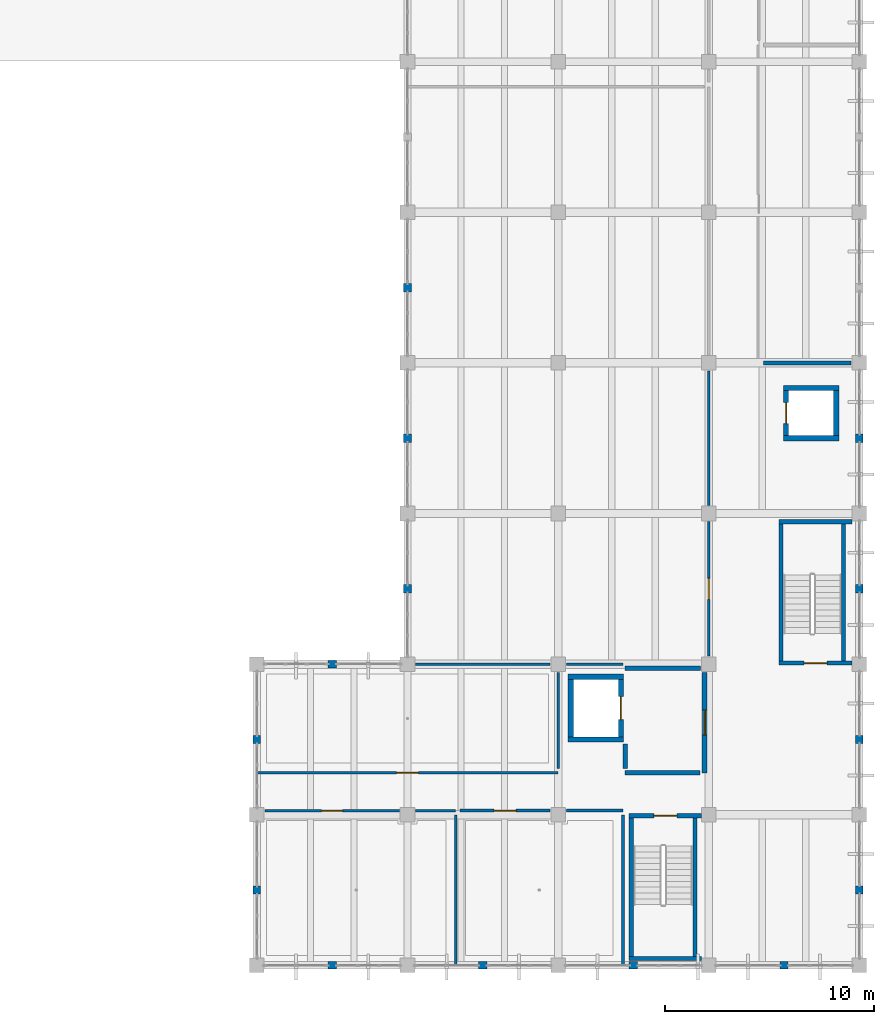
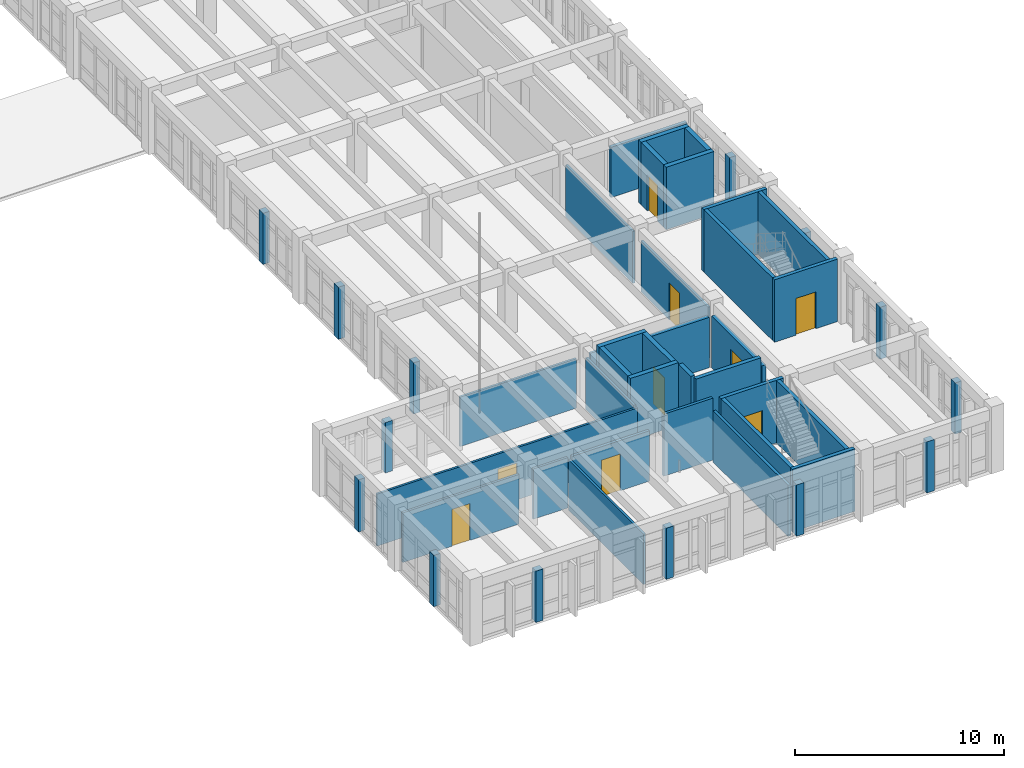
# One storey, part 42 of 54: 47 walls, 9 doors, 9 openings.
"""IFC4 building model written with IfcOpenShell, lengths in metres."""

from ifc_helpers import new_model, si_unit, direction, frame, frame_2d, origin, place, context, subcontext, project, spatial, rectangle, extrude, material, layer, layer_set, type_object, element, fill, save


model = new_model("IFC4")

# Units and contexts
model_context = context("Model", 3, precision=1e-05, world=origin(), true_north=direction((0.0, 1.0)))
body_context = subcontext(model_context, "Body", "Model", "MODEL_VIEW")
ifc_project = project(units=[si_unit("LENGTHUNIT", "METRE"), si_unit("AREAUNIT", "SQUARE_METRE"), si_unit("VOLUMEUNIT", "CUBIC_METRE"), si_unit("PLANEANGLEUNIT", "RADIAN"), si_unit("MASSUNIT", "GRAM", prefix="KILO")], contexts=[model_context])

# Site, building, storey
site_placement = place(None, origin())
site = spatial("IfcSite", under=ifc_project, at=site_placement, CompositionType="ELEMENT")
building_placement = place(site_placement, origin())
building = spatial("IfcBuilding", under=site, at=building_placement, Name="Koriwan Promenade Central Fire Station", CompositionType="ELEMENT")
storey_placement = place(building_placement, frame((0.0, 0.0, 9.60009765625)))
storey = spatial("IfcBuildingStorey", under=building, at=storey_placement, Name="L02", CompositionType="ELEMENT", Elevation=9.60009765625)

# Walls
ifc_material_1 = material(Name="Natural sillar sandstone ashlar", Category="masonry")
ifc_layer_1 = layer(ifc_material_1, 0.360107421875, Name="Natural sillar sandstone ashlar")
ifc_layer_set_1 = layer_set([ifc_layer_1], Name="Natural sillar sandstone ashlar")
wall_type_1 = type_object("IfcWallType", Name="ExtWall_SillarBase_360", PredefinedType="SOLIDWALL", material=ifc_layer_set_1)
for number, where, z_axis, x_axis, name in (
    (1, (169.39990234375, 0.0, 0.0), (0.0, 0.0, 1.0), (-1.0, 0.0, 0.0), "V5 L02 sillar facade mullion pier 263"),
    (2, (162.199951171875, 0.0, 0.0), (0.0, 0.0, 1.0), (-1.0, 0.0, 0.0), "V5 L02 sillar facade mullion pier 264"),
    (3, (155.0, 0.0, 0.0), (0.0, 0.0, 1.0), (-1.0, 0.0, 0.0), "V5 L02 sillar facade mullion pier 265"),
):
    element("IfcWall", number, at=place(storey_placement, frame(where, z_axis=z_axis, x_axis=x_axis)), inside=storey, type_object=wall_type_1, Name=name, PredefinedType="SOLIDWALL", context=body_context, shape_type="SweptSolid", body=[
        extrude(rectangle(XDim=0.39990234375, YDim=0.360107421875, at=frame_2d((0.199951171875, 0.0))), origin(), (0.0, 0.0, 1.0), 2.989990234375),
    ])
for number, where, z_axis, x_axis, name in (
    (4, (147.800048828125, 0.0, 0.0), (0.0, 0.0, 1.0), (-1.0, 0.0, 0.0), "V5 L02 sillar facade mullion pier 266"),
    (5, (144.0, 3.39990234375, 0.0), (0.0, 0.0, 1.0), (0.0, 1.0, 0.0), "V5 L02 sillar facade mullion pier 267"),
):
    element("IfcWall", number, at=place(storey_placement, frame(where, z_axis=z_axis, x_axis=x_axis)), inside=storey, type_object=wall_type_1, Name=name, PredefinedType="SOLIDWALL", context=body_context, shape_type="SweptSolid", body=[
        extrude(rectangle(XDim=0.400146484375, YDim=0.360107421875, at=frame_2d((0.2001953125, 0.0))), origin(), (0.0, 0.0, 1.0), 3.0),
    ])
wall_1_placement = place(storey_placement, frame((144.0, 10.60009765625, 0.0), z_axis=(0.0, 0.0, 1.0), x_axis=(0.0, 1.0, 0.0)))
element("IfcWall", 6, at=wall_1_placement, inside=storey, type_object=wall_type_1, Name="V5 L02 sillar facade mullion pier 268", PredefinedType="SOLIDWALL", context=body_context, shape_type="SweptSolid", body=[
    extrude(rectangle(XDim=0.39990234375, YDim=0.360107421875, at=frame_2d((0.199951171875, 0.0))), origin(), (0.0, 0.0, 1.0), 3.0498046875),
])
wall_2_placement = place(storey_placement, frame((147.39990234375, 14.39990234375, 0.0), z_axis=(0.0, 0.0, 1.0), x_axis=(1.0, 0.0, 0.0)))
element("IfcWall", 7, at=wall_2_placement, inside=storey, type_object=wall_type_1, Name="V5 L02 sillar facade mullion pier 269", PredefinedType="SOLIDWALL", context=body_context, shape_type="SweptSolid", body=[
    extrude(rectangle(XDim=0.400146484375, YDim=0.360107421875, at=frame_2d((0.2001953125, 0.0))), origin(), (0.0, 0.0, 1.0), 2.949951171875),
])
wall_3_placement = place(storey_placement, frame((151.199951171875, 17.800048828125, 0.0), z_axis=(0.0, 0.0, 1.0), x_axis=(0.0, 1.0, 0.0)))
element("IfcWall", 8, at=wall_3_placement, inside=storey, type_object=wall_type_1, Name="V5 L02 sillar facade mullion pier 270", PredefinedType="SOLIDWALL", context=body_context, shape_type="SweptSolid", body=[
    extrude(rectangle(XDim=0.39990234375, YDim=0.360107421875, at=frame_2d((0.199951171875, 0.0))), origin(), (0.0, 0.0, 1.0), 2.989990234375),
])
wall_4_placement = place(storey_placement, frame((151.199951171875, 25.0, 0.0), z_axis=(0.0, 0.0, 1.0), x_axis=(0.0, 1.0, 0.0)))
element("IfcWall", 9, at=wall_4_placement, inside=storey, type_object=wall_type_1, Name="V5 L02 sillar facade mullion pier 271", PredefinedType="SOLIDWALL", context=body_context, shape_type="SweptSolid", body=[
    extrude(rectangle(XDim=0.39990234375, YDim=0.360107421875, at=frame_2d((0.199951171875, 0.0))), origin(), (0.0, 0.0, 1.0), 3.039794921875),
])
wall_5_placement = place(storey_placement, frame((151.199951171875, 32.199951171875, 0.0), z_axis=(0.0, 0.0, 1.0), x_axis=(0.0, 1.0, 0.0)))
element("IfcWall", 10, at=wall_5_placement, inside=storey, type_object=wall_type_1, Name="V5 L02 sillar facade mullion pier 272", PredefinedType="SOLIDWALL", context=body_context, shape_type="SweptSolid", body=[
    extrude(rectangle(XDim=0.400146484375, YDim=0.360107421875, at=frame_2d((0.2001953125, 0.0))), origin(), (0.0, 0.0, 1.0), 2.989990234375),
])
wall_6_placement = place(storey_placement, frame((172.800048828125, 25.39990234375, 0.0), z_axis=(0.0, 0.0, 1.0), x_axis=(0.0, -1.0, 0.0)))
element("IfcWall", 11, at=wall_6_placement, inside=storey, type_object=wall_type_1, Name="V5 L02 sillar facade mullion pier 283", PredefinedType="SOLIDWALL", context=body_context, shape_type="SweptSolid", body=[
    extrude(rectangle(XDim=0.39990234375, YDim=0.360107421875, at=frame_2d((0.199951171875, 0.0))), origin(), (0.0, 0.0, 1.0), 3.039794921875),
])
wall_7_placement = place(storey_placement, frame((172.800048828125, 18.199951171875, 0.0), z_axis=(0.0, 0.0, 1.0), x_axis=(0.0, -1.0, 0.0)))
element("IfcWall", 12, at=wall_7_placement, inside=storey, type_object=wall_type_1, Name="V5 L02 sillar facade mullion pier 284", PredefinedType="SOLIDWALL", context=body_context, shape_type="SweptSolid", body=[
    extrude(rectangle(XDim=0.39990234375, YDim=0.360107421875, at=frame_2d((0.199951171875, 0.0))), origin(), (0.0, 0.0, 1.0), 2.989990234375),
])
wall_8_placement = place(storey_placement, frame((172.800048828125, 11.0, 0.0), z_axis=(0.0, 0.0, 1.0), x_axis=(0.0, -1.0, 0.0)))
element("IfcWall", 13, at=wall_8_placement, inside=storey, type_object=wall_type_1, Name="V5 L02 sillar facade mullion pier 285", PredefinedType="SOLIDWALL", context=body_context, shape_type="SweptSolid", body=[
    extrude(rectangle(XDim=0.39990234375, YDim=0.360107421875, at=frame_2d((0.199951171875, 0.0))), origin(), (0.0, 0.0, 1.0), 3.039794921875),
])
wall_9_placement = place(storey_placement, frame((172.800048828125, 3.800048828125, 0.0), z_axis=(0.0, 0.0, 1.0), x_axis=(0.0, -1.0, 0.0)))
element("IfcWall", 14, at=wall_9_placement, inside=storey, type_object=wall_type_1, Name="V5 L02 sillar facade mullion pier 286", PredefinedType="SOLIDWALL", context=body_context, shape_type="SweptSolid", body=[
    extrude(rectangle(XDim=0.400146484375, YDim=0.360107421875, at=frame_2d((0.2001953125, 0.0))), origin(), (0.0, 0.0, 1.0), 2.989990234375),
])

# Wall, opening, door
ifc_material_2 = material(Name="Gypsum board acoustic stud partition", Category="gypsum")
ifc_layer_2 = layer(ifc_material_2, 0.1201171875, Name="Gypsum board acoustic stud partition")
ifc_layer_set_2 = layer_set([ifc_layer_2], Name="Gypsum board acoustic stud partition")
wall_type_2 = type_object("IfcWallType", Name="IntWall_Drywall_120", PredefinedType="PARTITIONING", material=ifc_layer_set_2)
wall_10_placement = place(storey_placement, frame((144.389892578125, 7.39990234375, 0.0), z_axis=(0.0, 0.0, 1.0), x_axis=(1.0, 0.0, 0.0)))
wall_10 = element("IfcWall", 15, at=wall_10_placement, inside=storey, type_object=wall_type_2, Name="Operations Directorate Office partition N", PredefinedType="PARTITIONING", context=body_context, shape_type="SweptSolid", body=[
    extrude(rectangle(XDim=6.420166015625, YDim=0.1201171875, at=frame_2d((3.2099609375, 0.0))), origin(), (0.0, 0.0, 1.0), 2.89794921875),
])
opening_1_placement = place(wall_10_placement, frame((2.7099609375, 0.0, 0.0)))
opening_1 = element("IfcOpeningElement", 16, at=opening_1_placement, cuts=wall_10, Name="Opening D-166", PredefinedType="OPENING", context=body_context, shape_type="SweptSolid", body=[
    extrude(rectangle(XDim=1.0, YDim=2.14990234375, at=frame_2d((0.5, 1.074951171875))), frame((0.0, 0.072021484375, 0.0), z_axis=(0.0, -1.0, 0.0), x_axis=(1.0, 0.0, 0.0)), (0.0, 0.0, 1.0), 0.14404296875),
])
ifc_material_3 = material(Name="Hardwood veneer solid-core timber", Category="wood")
door_type_1 = type_object("IfcDoorType", Name="RoomDoor_Office_1000x2150", OperationType="NOTDEFINED", PredefinedType="DOOR", material=ifc_material_3)
door_1_placement = place(opening_1_placement, origin())
door_1 = element("IfcDoor", 17, at=door_1_placement, inside=storey, type_object=door_type_1, Name="Operations Directorate Office Door D-166", OperationType="SINGLE_SWING_RIGHT", OverallHeight=2.14990234375, OverallWidth=1.0, PredefinedType="DOOR", context=body_context, shape_type="SweptSolid", body=[
    extrude(rectangle(XDim=1.0, YDim=2.14990234375, at=frame_2d((0.5, 1.074951171875))), frame((0.0, 0.02490234375, 0.0), z_axis=(0.0, -1.0, 0.0), x_axis=(1.0, 0.0, 0.0)), (0.0, 0.0, 1.0), 0.050048828125),
])
fill(opening_1, door_1)

# Walls
wall_11_placement = place(storey_placement, frame((151.590087890625, 7.39990234375, 0.0), z_axis=(0.0, 0.0, 1.0), x_axis=(1.0, 0.0, 0.0)))
element("IfcWall", 18, at=wall_11_placement, inside=storey, type_object=wall_type_2, Name="Operations Directorate Office partition N", PredefinedType="PARTITIONING", context=body_context, shape_type="SweptSolid", body=[
    extrude(rectangle(XDim=1.909912109375, YDim=0.1201171875, at=frame_2d((0.955078125, 0.0))), origin(), (0.0, 0.0, 1.0), 2.93798828125),
])
wall_12_placement = place(storey_placement, frame((153.5, 0.0, 0.0), z_axis=(0.0, 0.0, 1.0), x_axis=(0.0, 1.0, 0.0)))
element("IfcWall", 19, at=wall_12_placement, inside=storey, type_object=wall_type_2, Name="Operations Directorate Office partition E", PredefinedType="PARTITIONING", context=body_context, shape_type="SweptSolid", body=[
    extrude(rectangle(XDim=7.179931640625, YDim=0.1201171875, at=frame_2d((3.58984375, 0.0))), origin(), (0.0, 0.0, 1.0), 2.93798828125),
])

# Wall, opening, door
wall_13_placement = place(storey_placement, frame((144.0, 9.199951171875, 0.0), z_axis=(0.0, 0.0, 1.0), x_axis=(1.0, 0.0, 0.0)))
wall_13 = element("IfcWall", 20, at=wall_13_placement, inside=storey, type_object=wall_type_2, Name="Disaster Simulation Studio partition S", PredefinedType="PARTITIONING", context=body_context, shape_type="SweptSolid", body=[
    extrude(rectangle(XDim=14.39990234375, YDim=0.1201171875, at=frame_2d((7.199951171875, 0.0))), origin(), (0.0, 0.0, 1.0), 3.037841796875),
])
opening_2_placement = place(wall_13_placement, frame((6.675048828125, 0.0, 0.0)))
opening_2 = element("IfcOpeningElement", 21, at=opening_2_placement, cuts=wall_13, Name="Opening D-168", PredefinedType="OPENING", context=body_context, shape_type="SweptSolid", body=[
    extrude(rectangle(XDim=1.050048828125, YDim=2.14990234375, at=frame_2d((0.52490234375, 1.074951171875))), frame((0.0, 0.072021484375, 0.0), z_axis=(0.0, -1.0, 0.0), x_axis=(1.0, 0.0, 0.0)), (0.0, 0.0, 1.0), 0.14404296875),
])
door_type_2 = type_object("IfcDoorType", Name="RoomDoor_Class_1050x2150", OperationType="NOTDEFINED", PredefinedType="DOOR", material=ifc_material_3)
door_2_placement = place(opening_2_placement, origin())
door_2 = element("IfcDoor", 22, at=door_2_placement, inside=storey, type_object=door_type_2, Name="Disaster Simulation Studio Door D-168", OperationType="SINGLE_SWING_RIGHT", OverallHeight=2.14990234375, OverallWidth=1.050048828125, PredefinedType="DOOR", context=body_context, shape_type="SweptSolid", body=[
    extrude(rectangle(XDim=1.050048828125, YDim=2.14990234375, at=frame_2d((0.52490234375, 1.074951171875))), frame((0.0, 0.02490234375, 0.0), z_axis=(0.0, -1.0, 0.0), x_axis=(1.0, 0.0, 0.0)), (0.0, 0.0, 1.0), 0.050048828125),
])
fill(opening_2, door_2)

# Wall
wall_14_placement = place(storey_placement, frame((158.39990234375, 9.419921875, 0.0), z_axis=(0.0, 0.0, 1.0), x_axis=(0.0, 1.0, 0.0)))
element("IfcWall", 23, at=wall_14_placement, inside=storey, type_object=wall_type_2, Name="Disaster Simulation Studio partition E", PredefinedType="PARTITIONING", context=body_context, shape_type="SweptSolid", body=[
    extrude(rectangle(XDim=4.590087890625, YDim=0.1201171875, at=frame_2d((2.294921875, 0.0))), origin(), (0.0, 0.0, 1.0), 3.037841796875),
])

# Wall, opening, door
wall_15_placement = place(storey_placement, frame((165.60009765625, 14.7900390625, 0.0), z_axis=(0.0, 0.0, 1.0), x_axis=(0.0, 1.0, 0.0)))
wall_15 = element("IfcWall", 24, at=wall_15_placement, inside=storey, type_object=wall_type_2, Name="Community Resilience Planning Office partition E", PredefinedType="PARTITIONING", context=body_context, shape_type="SweptSolid", body=[
    extrude(rectangle(XDim=6.419921875, YDim=0.1201171875, at=frame_2d((3.2099609375, 0.0))), origin(), (0.0, 0.0, 1.0), 2.98779296875),
])
opening_3_placement = place(wall_15_placement, frame((2.7099609375, 0.0, 0.0)))
opening_3 = element("IfcOpeningElement", 25, at=opening_3_placement, cuts=wall_15, Name="Opening D-169", PredefinedType="OPENING", context=body_context, shape_type="SweptSolid", body=[
    extrude(rectangle(XDim=1.0, YDim=2.14990234375, at=frame_2d((0.5, 1.074951171875))), frame((0.0, 0.072021484375, 0.0), z_axis=(0.0, -1.0, 0.0), x_axis=(1.0, 0.0, 0.0)), (0.0, 0.0, 1.0), 0.14404296875),
])
door_3_placement = place(opening_3_placement, origin())
door_3 = element("IfcDoor", 26, at=door_3_placement, inside=storey, type_object=door_type_1, Name="Community Resilience Planning Office Door D-169", OperationType="SINGLE_SWING_LEFT", OverallHeight=2.14990234375, OverallWidth=1.0, PredefinedType="DOOR", context=body_context, shape_type="SweptSolid", body=[
    extrude(rectangle(XDim=1.0, YDim=2.14990234375, at=frame_2d((0.5, 1.074951171875))), frame((0.0, 0.02490234375, 0.0), z_axis=(0.0, -1.0, 0.0), x_axis=(1.0, 0.0, 0.0)), (0.0, 0.0, 1.0), 0.050048828125),
])
fill(opening_3, door_3)

# Walls
wall_16_placement = place(storey_placement, frame((165.60009765625, 21.989990234375, 0.0), z_axis=(0.0, 0.0, 1.0), x_axis=(0.0, 1.0, 0.0)))
element("IfcWall", 27, at=wall_16_placement, inside=storey, type_object=wall_type_2, Name="Community Resilience Planning Office partition E", PredefinedType="PARTITIONING", context=body_context, shape_type="SweptSolid", body=[
    extrude(rectangle(XDim=6.419921875, YDim=0.1201171875, at=frame_2d((3.2099609375, 0.0))), origin(), (0.0, 0.0, 1.0), 3.037841796875),
])
wall_17_placement = place(storey_placement, frame((151.590087890625, 14.39990234375, 0.0), z_axis=(0.0, 0.0, 1.0), x_axis=(1.0, 0.0, 0.0)))
element("IfcWall", 28, at=wall_17_placement, inside=storey, type_object=wall_type_2, Name="Community Resilience Planning Office partition S", PredefinedType="PARTITIONING", context=body_context, shape_type="SweptSolid", body=[
    extrude(rectangle(XDim=6.419921875, YDim=0.1201171875, at=frame_2d((3.2099609375, 0.0))), origin(), (0.0, 0.0, 1.0), 2.887939453125),
])
wall_18_placement = place(storey_placement, frame((158.7900390625, 14.39990234375, 0.0), z_axis=(0.0, 0.0, 1.0), x_axis=(1.0, 0.0, 0.0)))
element("IfcWall", 29, at=wall_18_placement, inside=storey, type_object=wall_type_2, Name="Community Resilience Planning Office partition S", PredefinedType="PARTITIONING", context=body_context, shape_type="SweptSolid", body=[
    extrude(rectangle(XDim=2.71875, YDim=0.1201171875, at=frame_2d((1.359375, 0.0))), origin(), (0.0, 0.0, 1.0), 2.93798828125),
])

# Wall, opening, door
ifc_material_4 = material(Name="Clay brick plastered masonry wall", Category="masonry")
ifc_layer_3 = layer(ifc_material_4, 0.14990234375, Name="Clay brick plastered masonry wall")
ifc_layer_set_3 = layer_set([ifc_layer_3], Name="Clay brick plastered masonry wall")
wall_type_3 = type_object("IfcWallType", Name="IntWall_Masonry_150", PredefinedType="STANDARD", material=ifc_layer_set_3)
wall_19_placement = place(storey_placement, frame((153.719970703125, 7.39990234375, 0.0), z_axis=(0.0, 0.0, 1.0), x_axis=(1.0, 0.0, 0.0)))
wall_19 = element("IfcWall", 30, at=wall_19_placement, inside=storey, type_object=wall_type_3, Name="Multi-Agency Coordination Briefing Room partition N", PredefinedType="STANDARD", context=body_context, shape_type="SweptSolid", body=[
    extrude(rectangle(XDim=4.2900390625, YDim=0.14990234375, at=frame_2d((2.14501953125, 0.0))), origin(), (0.0, 0.0, 1.0), 2.93798828125),
])
opening_4_placement = place(wall_19_placement, frame((1.6201171875, 0.0, 0.0)))
opening_4 = element("IfcOpeningElement", 31, at=opening_4_placement, cuts=wall_19, Name="Opening D-167", PredefinedType="OPENING", context=body_context, shape_type="SweptSolid", body=[
    extrude(rectangle(XDim=1.050048828125, YDim=2.14990234375, at=frame_2d((0.52490234375, 1.074951171875))), frame((0.0, 0.0869140625, 0.0), z_axis=(0.0, -1.0, 0.0), x_axis=(1.0, 0.0, 0.0)), (0.0, 0.0, 1.0), 0.173828125),
])
door_4_placement = place(opening_4_placement, origin())
door_4 = element("IfcDoor", 32, at=door_4_placement, inside=storey, type_object=door_type_2, Name="Multi-Agency Coordination Briefing Room Door D-167", OperationType="SINGLE_SWING_LEFT", OverallHeight=2.14990234375, OverallWidth=1.050048828125, PredefinedType="DOOR", context=body_context, shape_type="SweptSolid", body=[
    extrude(rectangle(XDim=1.050048828125, YDim=2.14990234375, at=frame_2d((0.52490234375, 1.074951171875))), frame((0.0, 0.02490234375, 0.0), z_axis=(0.0, -1.0, 0.0), x_axis=(1.0, 0.0, 0.0)), (0.0, 0.0, 1.0), 0.050048828125),
])
fill(opening_4, door_4)

# Walls
wall_20_placement = place(storey_placement, frame((158.7900390625, 7.39990234375, 0.0), z_axis=(0.0, 0.0, 1.0), x_axis=(1.0, 0.0, 0.0)))
element("IfcWall", 33, at=wall_20_placement, inside=storey, type_object=wall_type_3, Name="Multi-Agency Coordination Briefing Room partition N", PredefinedType="STANDARD", context=body_context, shape_type="SweptSolid", body=[
    extrude(rectangle(XDim=2.7099609375, YDim=0.14990234375, at=frame_2d((1.35498046875, 0.0))), origin(), (0.0, 0.0, 1.0), 3.619873046875),
])
wall_21_placement = place(storey_placement, frame((161.5, 0.0, 0.0), z_axis=(0.0, 0.0, 1.0), x_axis=(0.0, 1.0, 0.0)))
element("IfcWall", 34, at=wall_21_placement, inside=storey, type_object=wall_type_3, Name="Multi-Agency Coordination Briefing Room partition E", PredefinedType="STANDARD", context=body_context, shape_type="SweptSolid", body=[
    extrude(rectangle(XDim=7.179931640625, YDim=0.14990234375, at=frame_2d((3.58984375, 0.0))), origin(), (0.0, 0.0, 1.0), 2.98779296875),
])

# Wall, opening, door
ifc_material_5 = material(Name="Concrete C35/45 compartment wall", Category="concrete")
ifc_layer_4 = layer(ifc_material_5, 0.219970703125, Name="Concrete C35/45 compartment wall")
ifc_layer_set_4 = layer_set([ifc_layer_4], Name="Concrete C35/45 compartment wall")
wall_type_4 = type_object("IfcWallType", Name="IntWall_Plant_220", PredefinedType="STANDARD", material=ifc_layer_set_4)
wall_22_placement = place(storey_placement, frame((165.39990234375, 9.199951171875, 0.0), z_axis=(0.0, 0.0, 1.0), x_axis=(0.0, 1.0, 0.0)))
wall_22 = element("IfcWall", 35, at=wall_22_placement, inside=storey, type_object=wall_type_4, Name="Headquarters Firefighting Lift Lobby L02 partition E", PredefinedType="STANDARD", context=body_context, shape_type="SweptSolid", body=[
    extrude(rectangle(XDim=4.81005859375, YDim=0.219970703125, at=frame_2d((2.405029296875, 0.0))), origin(), (0.0, 0.0, 1.0), 3.037841796875),
])
opening_5_placement = place(wall_22_placement, frame((1.804931640625, 0.0, 0.0)))
opening_5 = element("IfcOpeningElement", 36, at=opening_5_placement, cuts=wall_22, Name="Opening D-165", PredefinedType="OPENING", context=body_context, shape_type="SweptSolid", body=[
    extrude(rectangle(XDim=1.199951171875, YDim=2.199951171875, at=frame_2d((0.60009765625, 1.10009765625))), frame((0.0, 0.1220703125, 0.0), z_axis=(0.0, -1.0, 0.0), x_axis=(1.0, 0.0, 0.0)), (0.0, 0.0, 1.0), 0.243896484375),
])
ifc_material_6 = material(Name="Painted galvanized fire-door steel", Category="steel")
door_type_3 = type_object("IfcDoorType", Name="FireDoor_Lobby_1200x2200", OperationType="NOTDEFINED", PredefinedType="DOOR", material=ifc_material_6)
door_5_placement = place(opening_5_placement, origin())
door_5 = element("IfcDoor", 37, at=door_5_placement, inside=storey, type_object=door_type_3, Name="Headquarters Firefighting Lift Lobby L02 Door D-165", OperationType="SINGLE_SWING_LEFT", OverallHeight=2.199951171875, OverallWidth=1.199951171875, PredefinedType="DOOR", context=body_context, shape_type="SweptSolid", body=[
    extrude(rectangle(XDim=1.199951171875, YDim=2.199951171875, at=frame_2d((0.60009765625, 1.10009765625))), frame((0.0, 0.02490234375, 0.0), z_axis=(0.0, -1.0, 0.0), x_axis=(1.0, 0.0, 0.0)), (0.0, 0.0, 1.0), 0.050048828125),
])
fill(opening_5, door_5)

# Walls
wall_23_placement = place(storey_placement, frame((161.60009765625, 9.199951171875, 0.0), z_axis=(0.0, 0.0, 1.0), x_axis=(1.0, 0.0, 0.0)))
element("IfcWall", 38, at=wall_23_placement, inside=storey, type_object=wall_type_4, Name="Headquarters Firefighting Lift Lobby L02 partition S", PredefinedType="STANDARD", context=body_context, shape_type="SweptSolid", body=[
    extrude(rectangle(XDim=3.579833984375, YDim=0.219970703125, at=frame_2d((1.7900390625, 0.0))), origin(), (0.0, 0.0, 1.0), 3.619873046875),
])
wall_24_placement = place(storey_placement, frame((161.60009765625, 14.199951171875, 0.0), z_axis=(0.0, 0.0, 1.0), x_axis=(1.0, 0.0, 0.0)))
element("IfcWall", 39, at=wall_24_placement, inside=storey, type_object=wall_type_4, Name="Headquarters Firefighting Lift Lobby L02 partition N", PredefinedType="STANDARD", context=body_context, shape_type="SweptSolid", body=[
    extrude(rectangle(XDim=3.60986328125, YDim=0.219970703125, at=frame_2d((1.804931640625, 0.0))), origin(), (0.0, 0.0, 1.0), 2.93798828125),
])
wall_25_placement = place(storey_placement, frame((161.60009765625, 9.419921875, 0.0), z_axis=(0.0, 0.0, 1.0), x_axis=(0.0, 1.0, 0.0)))
element("IfcWall", 40, at=wall_25_placement, inside=storey, type_object=wall_type_4, Name="Headquarters Firefighting Lift Lobby L02 partition W", PredefinedType="STANDARD", context=body_context, shape_type="SweptSolid", body=[
    extrude(rectangle(XDim=1.173583984375, YDim=0.219970703125, at=frame_2d((0.5869140625, 0.0))), origin(), (0.0, 0.0, 1.0), 3.619873046875),
])
ifc_material_7 = material(Name="Moisture-resistant sanitary chase wall", Category="gypsum")
ifc_layer_5 = layer(ifc_material_7, 0.179931640625, Name="Moisture-resistant sanitary chase wall")
ifc_layer_set_5 = layer_set([ifc_layer_5], Name="Moisture-resistant sanitary chase wall")
wall_type_5 = type_object("IfcWallType", Name="IntWall_Plumbing_180", PredefinedType="PLUMBINGWALL", material=ifc_layer_set_5)
wall_26_placement = place(storey_placement, frame((168.219970703125, 28.800048828125, 0.0), z_axis=(0.0, 0.0, 1.0), x_axis=(1.0, 0.0, 0.0)))
element("IfcWall", 41, at=wall_26_placement, inside=storey, type_object=wall_type_5, Name="Headquarters L02 Male Female and Accessible WCs partition S", PredefinedType="PLUMBINGWALL", context=body_context, shape_type="SweptSolid", body=[
    extrude(rectangle(XDim=4.18994140625, YDim=0.179931640625, at=frame_2d((2.094970703125, 0.0))), origin(), (0.0, 0.0, 1.0), 2.93798828125),
])
ifc_material_8 = material(Name="Concrete C40/50", Category="concrete")
ifc_layer_6 = layer(ifc_material_8, 0.199951171875, Name="Concrete C40/50")
ifc_layer_set_6 = layer_set([ifc_layer_6], Name="Concrete C40/50")
wall_type_6 = type_object("IfcWallType", Name="ShearWall_200", PredefinedType="SHEAR", material=ifc_layer_set_6)
wall_27_placement = place(storey_placement, frame((161.800048828125, 0.330078125, 0.0), z_axis=(0.0, 0.0, 1.0), x_axis=(1.0, 0.0, 0.0)))
element("IfcWall", 42, at=wall_27_placement, inside=storey, type_object=wall_type_6, Name="ST22 L02 structural stair wall S", PredefinedType="SHEAR", context=body_context, shape_type="SweptSolid", body=[
    extrude(rectangle(XDim=3.449951171875, YDim=0.199951171875, at=frame_2d((1.72509765625, 0.0))), origin(), (0.0, 0.0, 1.0), 3.64990234375),
])

# Wall, opening, door
wall_28_placement = place(storey_placement, frame((161.800048828125, 7.14990234375, 0.0), z_axis=(0.0, 0.0, 1.0), x_axis=(1.0, 0.0, 0.0)))
wall_28 = element("IfcWall", 43, at=wall_28_placement, inside=storey, type_object=wall_type_6, Name="ST22 L02 structural stair wall N", PredefinedType="SHEAR", context=body_context, shape_type="SweptSolid", body=[
    extrude(rectangle(XDim=3.449951171875, YDim=0.199951171875, at=frame_2d((1.72509765625, 0.0))), origin(), (0.0, 0.0, 1.0), 3.64990234375),
])
opening_6_placement = place(wall_28_placement, frame((1.175048828125, 0.0, 0.0)))
opening_6 = element("IfcOpeningElement", 44, at=opening_6_placement, cuts=wall_28, Name="Opening SD-034", PredefinedType="OPENING", context=body_context, shape_type="SweptSolid", body=[
    extrude(rectangle(XDim=1.10009765625, YDim=2.14990234375, at=frame_2d((0.550048828125, 1.074951171875))), frame((0.0, 0.11181640625, 0.0), z_axis=(0.0, -1.0, 0.0), x_axis=(1.0, 0.0, 0.0)), (0.0, 0.0, 1.0), 0.223876953125),
])
door_type_4 = type_object("IfcDoorType", Name="FireDoor_Stair_1100x2150", OperationType="NOTDEFINED", PredefinedType="DOOR", material=ifc_material_6)
door_6_placement = place(opening_6_placement, frame((1.10009765625, 0.0, 0.0), z_axis=(0.0, 0.0, 1.0), x_axis=(-1.0, 0.0, 0.0)))
door_6 = element("IfcDoor", 45, at=door_6_placement, inside=storey, type_object=door_type_4, Name="Protected Stair ST22 Fire Door SD-034", OperationType="SINGLE_SWING_LEFT", OverallHeight=2.14990234375, OverallWidth=1.10009765625, PredefinedType="DOOR", context=body_context, shape_type="SweptSolid", body=[
    extrude(rectangle(XDim=1.10009765625, YDim=2.14990234375, at=frame_2d((0.550048828125, 1.074951171875))), frame((0.0, 0.02490234375, 0.0), z_axis=(0.0, -1.0, 0.0), x_axis=(1.0, 0.0, 0.0)), (0.0, 0.0, 1.0), 0.050048828125),
])
fill(opening_6, door_6)

# Walls
for number, where, z_axis, x_axis, name in (
    (46, (161.89990234375, 0.429931640625, 0.0), (0.0, 0.0, 1.0), (0.0, 1.0, 0.0), "ST22 L02 structural stair wall W"),
    (47, (164.949951171875, 0.429931640625, 0.0), (0.0, 0.0, 1.0), (0.0, 1.0, 0.0), "ST22 L02 structural stair wall E"),
):
    element("IfcWall", number, at=place(storey_placement, frame(where, z_axis=z_axis, x_axis=x_axis)), inside=storey, type_object=wall_type_6, Name=name, PredefinedType="SHEAR", context=body_context, shape_type="SweptSolid", body=[
        extrude(rectangle(XDim=6.6201171875, YDim=0.199951171875, at=frame_2d((3.31005859375, 0.0))), origin(), (0.0, 0.0, 1.0), 3.64990234375),
    ])

# Wall, opening, door
wall_29_placement = place(storey_placement, frame((168.9599609375, 14.449951171875, 0.0), z_axis=(0.0, 0.0, 1.0), x_axis=(1.0, 0.0, 0.0)))
wall_29 = element("IfcWall", 48, at=wall_29_placement, inside=storey, type_object=wall_type_6, Name="ST27 L02 structural stair wall S", PredefinedType="SHEAR", context=body_context, shape_type="SweptSolid", body=[
    extrude(rectangle(XDim=3.489990234375, YDim=0.199951171875, at=frame_2d((1.7451171875, 0.0))), origin(), (0.0, 0.0, 1.0), 3.64990234375),
])
opening_7_placement = place(wall_29_placement, frame((1.195068359375, 0.0, 0.0)))
opening_7 = element("IfcOpeningElement", 49, at=opening_7_placement, cuts=wall_29, Name="Opening SD-040", PredefinedType="OPENING", context=body_context, shape_type="SweptSolid", body=[
    extrude(rectangle(XDim=1.10009765625, YDim=2.14990234375, at=frame_2d((0.550048828125, 1.074951171875))), frame((0.0, 0.11181640625, 0.0), z_axis=(0.0, -1.0, 0.0), x_axis=(1.0, 0.0, 0.0)), (0.0, 0.0, 1.0), 0.223876953125),
])
door_7_placement = place(opening_7_placement, origin())
door_7 = element("IfcDoor", 50, at=door_7_placement, inside=storey, type_object=door_type_4, Name="Protected Stair ST27 Fire Door SD-040", OperationType="SINGLE_SWING_LEFT", OverallHeight=2.14990234375, OverallWidth=1.10009765625, PredefinedType="DOOR", context=body_context, shape_type="SweptSolid", body=[
    extrude(rectangle(XDim=1.10009765625, YDim=2.14990234375, at=frame_2d((0.550048828125, 1.074951171875))), frame((0.0, 0.02490234375, 0.0), z_axis=(0.0, -1.0, 0.0), x_axis=(1.0, 0.0, 0.0)), (0.0, 0.0, 1.0), 0.050048828125),
])
fill(opening_7, door_7)

# Walls
wall_30_placement = place(storey_placement, frame((168.9599609375, 21.2099609375, 0.0), z_axis=(0.0, 0.0, 1.0), x_axis=(1.0, 0.0, 0.0)))
element("IfcWall", 51, at=wall_30_placement, inside=storey, type_object=wall_type_6, Name="ST27 L02 structural stair wall N", PredefinedType="SHEAR", context=body_context, shape_type="SweptSolid", body=[
    extrude(rectangle(XDim=3.489990234375, YDim=0.199951171875, at=frame_2d((1.7451171875, 0.0))), origin(), (0.0, 0.0, 1.0), 3.64990234375),
])
for number, where, z_axis, x_axis, name in (
    (52, (169.06005859375, 14.550048828125, 0.0), (0.0, 0.0, 1.0), (0.0, 1.0, 0.0), "ST27 L02 structural stair wall W"),
    (53, (172.050048828125, 14.550048828125, 0.0), (0.0, 0.0, 1.0), (0.0, 1.0, 0.0), "ST27 L02 structural stair wall E"),
):
    element("IfcWall", number, at=place(storey_placement, frame(where, z_axis=z_axis, x_axis=x_axis)), inside=storey, type_object=wall_type_6, Name=name, PredefinedType="SHEAR", context=body_context, shape_type="SweptSolid", body=[
        extrude(rectangle(XDim=6.56005859375, YDim=0.199951171875, at=frame_2d((3.280029296875, 0.0))), origin(), (0.0, 0.0, 1.0), 3.64990234375),
    ])
ifc_layer_7 = layer(ifc_material_8, 0.25, Name="Concrete C40/50")
ifc_layer_set_7 = layer_set([ifc_layer_7], Name="Concrete C40/50")
wall_type_7 = type_object("IfcWallType", Name="ShearWall_250", PredefinedType="SHEAR", material=ifc_layer_set_7)
for number, where, z_axis, x_axis, name in (
    (54, (158.875, 10.800048828125, 0.0), (0.0, 0.0, 1.0), (1.0, 0.0, 0.0), "LF01 shaft wall S (L02)"),
    (55, (158.875, 13.800048828125, 0.0), (0.0, 0.0, 1.0), (1.0, 0.0, 0.0), "LF01 shaft wall N (L02)"),
):
    element("IfcWall", number, at=place(storey_placement, frame(where, z_axis=z_axis, x_axis=x_axis)), inside=storey, type_object=wall_type_7, Name=name, PredefinedType="SHEAR", context=body_context, shape_type="SweptSolid", body=[
        extrude(rectangle(XDim=2.64990234375, YDim=0.25, at=frame_2d((1.324951171875, 0.0))), origin(), (0.0, 0.0, 1.0), 3.64990234375),
    ])
wall_31_placement = place(storey_placement, frame((159.0, 10.925048828125, 0.0), z_axis=(0.0, 0.0, 1.0), x_axis=(0.0, 1.0, 0.0)))
element("IfcWall", 56, at=wall_31_placement, inside=storey, type_object=wall_type_7, Name="LF01 shaft wall W (L02)", PredefinedType="SHEAR", context=body_context, shape_type="SweptSolid", body=[
    extrude(rectangle(XDim=2.75, YDim=0.25, at=frame_2d((1.375, 0.0))), origin(), (0.0, 0.0, 1.0), 3.64990234375),
])

# Wall, opening, door
wall_32_placement = place(storey_placement, frame((161.39990234375, 10.925048828125, 0.0), z_axis=(0.0, 0.0, 1.0), x_axis=(0.0, 1.0, 0.0)))
wall_32 = element("IfcWall", 57, at=wall_32_placement, inside=storey, type_object=wall_type_7, Name="LF01 shaft wall E (L02)", PredefinedType="SHEAR", context=body_context, shape_type="SweptSolid", body=[
    extrude(rectangle(XDim=2.75, YDim=0.25, at=frame_2d((1.375, 0.0))), origin(), (0.0, 0.0, 1.0), 3.64990234375),
])
opening_8_placement = place(wall_32_placement, frame((0.824951171875, 0.0, 0.0)))
opening_8 = element("IfcOpeningElement", 58, at=opening_8_placement, cuts=wall_32, Name="Opening LD-LF01-L02", PredefinedType="OPENING", context=body_context, shape_type="SweptSolid", body=[
    extrude(rectangle(XDim=1.10009765625, YDim=2.14990234375, at=frame_2d((0.550048828125, 1.074951171875))), frame((0.0, 0.136962890625, 0.0), z_axis=(0.0, -1.0, 0.0), x_axis=(1.0, 0.0, 0.0)), (0.0, 0.0, 1.0), 0.27392578125),
])
ifc_material_9 = material(Name="Stainless steel 316", Category="steel")
door_type_5 = type_object("IfcDoorType", Name="LiftDoor_Fire_1100x2150", OperationType="SLIDING_TO_LEFT", PredefinedType="DOOR", material=ifc_material_9)
door_8_placement = place(opening_8_placement, origin())
door_8 = element("IfcDoor", 59, at=door_8_placement, inside=storey, type_object=door_type_5, Name="Lift LF01 Sliding Landing Door LD-LF01-L02", OperationType="SLIDING_TO_LEFT", OverallHeight=2.14990234375, OverallWidth=1.10009765625, PredefinedType="DOOR", context=body_context, shape_type="SweptSolid", body=[
    extrude(rectangle(XDim=1.10009765625, YDim=2.14990234375, at=frame_2d((0.550048828125, 1.074951171875))), frame((0.0, 0.02490234375, 0.0), z_axis=(0.0, -1.0, 0.0), x_axis=(1.0, 0.0, 0.0)), (0.0, 0.0, 1.0), 0.050048828125),
])
fill(opening_8, door_8)

# Walls
for number, where, z_axis, x_axis, name in (
    (60, (169.175048828125, 25.199951171875, 0.0), (0.0, 0.0, 1.0), (1.0, 0.0, 0.0), "LP01 shaft wall S (L02)"),
    (61, (169.175048828125, 27.60009765625, 0.0), (0.0, 0.0, 1.0), (1.0, 0.0, 0.0), "LP01 shaft wall N (L02)"),
):
    element("IfcWall", number, at=place(storey_placement, frame(where, z_axis=z_axis, x_axis=x_axis)), inside=storey, type_object=wall_type_7, Name=name, PredefinedType="SHEAR", context=body_context, shape_type="SweptSolid", body=[
        extrude(rectangle(XDim=2.64990234375, YDim=0.25, at=frame_2d((1.324951171875, 0.0))), origin(), (0.0, 0.0, 1.0), 3.64990234375),
    ])

# Wall, opening, door
wall_33_placement = place(storey_placement, frame((169.300048828125, 25.324951171875, 0.0), z_axis=(0.0, 0.0, 1.0), x_axis=(0.0, 1.0, 0.0)))
wall_33 = element("IfcWall", 62, at=wall_33_placement, inside=storey, type_object=wall_type_7, Name="LP01 shaft wall W (L02)", PredefinedType="SHEAR", context=body_context, shape_type="SweptSolid", body=[
    extrude(rectangle(XDim=2.150146484375, YDim=0.25, at=frame_2d((1.0751953125, 0.0))), origin(), (0.0, 0.0, 1.0), 3.64990234375),
])
opening_9_placement = place(wall_33_placement, frame((0.574951171875, 0.0, 0.0)))
opening_9 = element("IfcOpeningElement", 63, at=opening_9_placement, cuts=wall_33, Name="Opening LD-LP01-L02", PredefinedType="OPENING", context=body_context, shape_type="SweptSolid", body=[
    extrude(rectangle(XDim=1.0, YDim=2.10009765625, at=frame_2d((0.5, 1.050048828125))), frame((0.0, 0.136962890625, 0.0), z_axis=(0.0, -1.0, 0.0), x_axis=(1.0, 0.0, 0.0)), (0.0, 0.0, 1.0), 0.27392578125),
])
door_type_6 = type_object("IfcDoorType", Name="LiftDoor_Pass_1000x2100", OperationType="SLIDING_TO_RIGHT", PredefinedType="DOOR", material=ifc_material_9)
door_9_placement = place(opening_9_placement, origin())
door_9 = element("IfcDoor", 64, at=door_9_placement, inside=storey, type_object=door_type_6, Name="Lift LP01 Sliding Landing Door LD-LP01-L02", OperationType="SLIDING_TO_RIGHT", OverallHeight=2.10009765625, OverallWidth=1.0, PredefinedType="DOOR", context=body_context, shape_type="SweptSolid", body=[
    extrude(rectangle(XDim=1.0, YDim=2.10009765625, at=frame_2d((0.5, 1.050048828125))), frame((0.0, 0.02490234375, 0.0), z_axis=(0.0, -1.0, 0.0), x_axis=(1.0, 0.0, 0.0)), (0.0, 0.0, 1.0), 0.050048828125),
])
fill(opening_9, door_9)

# Wall
wall_34_placement = place(storey_placement, frame((171.699951171875, 25.324951171875, 0.0), z_axis=(0.0, 0.0, 1.0), x_axis=(0.0, 1.0, 0.0)))
element("IfcWall", 65, at=wall_34_placement, inside=storey, type_object=wall_type_7, Name="LP01 shaft wall E (L02)", PredefinedType="SHEAR", context=body_context, shape_type="SweptSolid", body=[
    extrude(rectangle(XDim=2.150146484375, YDim=0.25, at=frame_2d((1.0751953125, 0.0))), origin(), (0.0, 0.0, 1.0), 3.64990234375),
])

save(model, "model.ifc")
